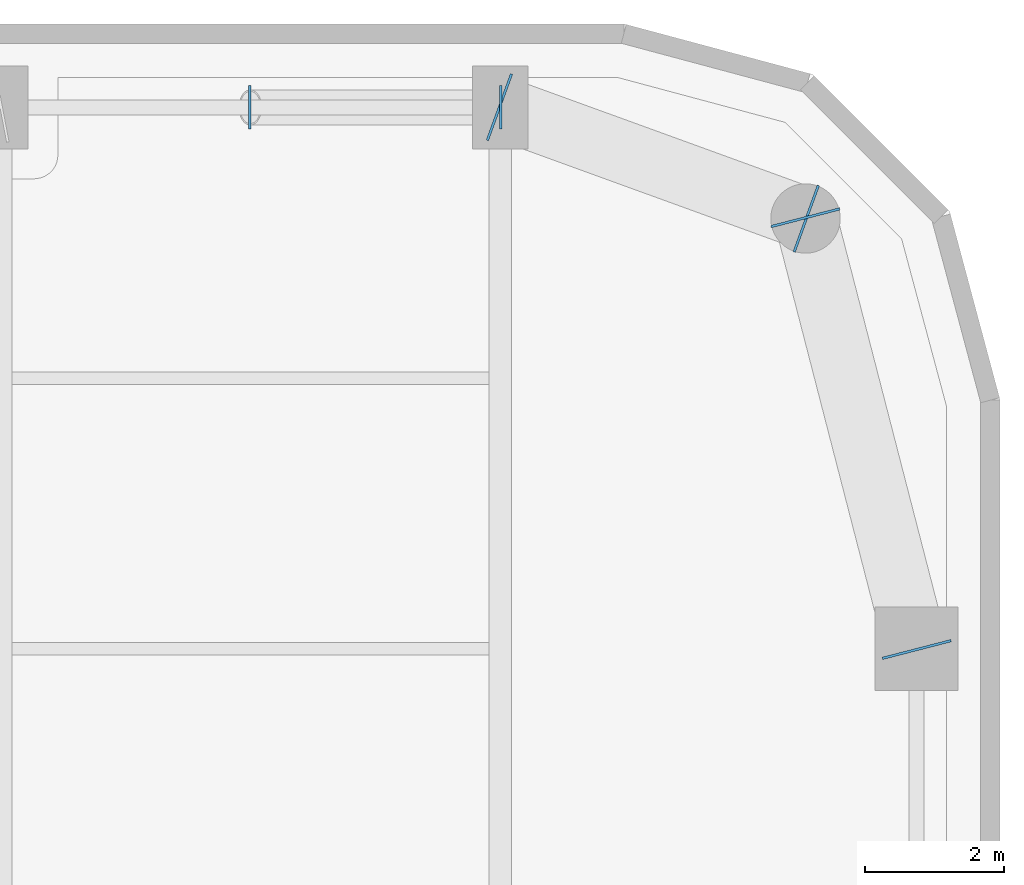
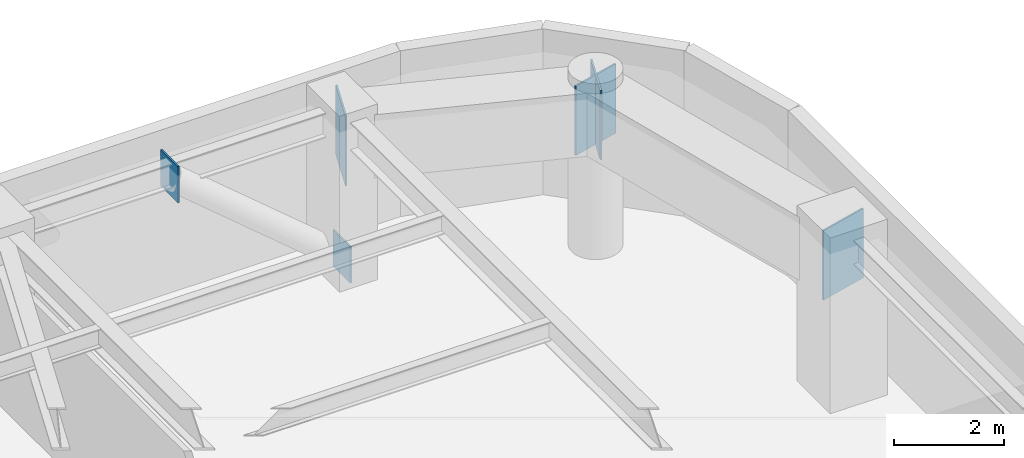
# One storey, part 23 of 30: 6 plates.
"""IFC4 building model written with IfcOpenShell, lengths in metres."""

from ifc_helpers import new_model, si_unit, direction, frame, origin, origin_2d, place, context, subcontext, project, spatial, rectangle, extrude, material, layer, layer_set, type_object, element, save


model = new_model("IFC4")

# Units and contexts
model_context = context("Model", 3, precision=1e-05, world=origin(), true_north=direction((0.0, 1.0)))
body_context = subcontext(model_context, "Body", "Model", "MODEL_VIEW")
ifc_project = project(units=[si_unit("LENGTHUNIT", "METRE"), si_unit("AREAUNIT", "SQUARE_METRE"), si_unit("VOLUMEUNIT", "CUBIC_METRE"), si_unit("PLANEANGLEUNIT", "RADIAN"), si_unit("MASSUNIT", "GRAM", prefix="KILO")], contexts=[model_context])

# Site, building, storey
site_placement = place(None, origin())
site = spatial("IfcSite", under=ifc_project, at=site_placement, CompositionType="ELEMENT")
building_placement = place(site_placement, origin())
building = spatial("IfcBuilding", under=site, at=building_placement, Name="Kiyonajd Concourse Tower", CompositionType="ELEMENT")
storey_placement = place(building_placement, frame((0.0, 0.0, 170.10009765625)))
storey = spatial("IfcBuildingStorey", under=building, at=storey_placement, Name="L43", CompositionType="ELEMENT", Elevation=170.10009765625)

# Plates
ifc_material = material(Name="Steel ASTM A572 Grade 50", Category="steel")
ifc_layer_1 = layer(ifc_material, 0.028076171875)
ifc_layer_set_1 = layer_set([ifc_layer_1], Name="Steel ASTM A572 Grade 50")
plate_type_1 = type_object("IfcPlateType", Name="PL-CAP-450", PredefinedType="USERDEFINED", material=ifc_layer_set_1)
for number, where, z_axis, x_axis, name in (
    (1, (63.6083984375, 61.199951171875, -0.109375), (0.0, 0.0, 1.0), (1.0, 0.0, 0.0), "L43 Hollow Brace End Cap Plate PBN"),
    (2, (59.99169921875, 61.199951171875, 2.93505859375), (0.0, 0.0, 1.0), (-1.0, 0.0, 0.0), "L43 Hollow Brace Top Cap Plate PBN"),
):
    element("IfcPlate", number, at=place(storey_placement, frame(where, z_axis=z_axis, x_axis=x_axis)), inside=storey, type_object=plate_type_1, Name=name, ObjectType="CAP PLATE", PredefinedType="USERDEFINED", context=body_context, shape_type="SweptSolid", body=[
        extrude(rectangle(XDim=0.035888671875, YDim=0.6279296875, at=origin_2d()), origin(), (0.0, 0.0, 1.0), 0.803955078125),
    ])
ifc_layer_2 = layer(ifc_material, 0.031982421875)
ifc_layer_set_2 = layer_set([ifc_layer_2], Name="Steel ASTM A572 Grade 50")
plate_type_2 = type_object("IfcPlateType", Name="PL-CAP-540", PredefinedType="USERDEFINED", material=ifc_layer_set_2)
for number, where, z_axis, x_axis, name in (
    (3, (69.602783203125, 53.389404296875, 2.2099609375), (0.0, 0.0, 1.0), (0.249873048837, -0.968278606324, 0.0), "L43 Welded Box Girder End Cap"),
    (4, (67.997314453125, 59.610595703125, 2.2099609375), (0.0, 0.0, 1.0), (-0.249873048837, 0.968278606324, 0.0), "L43 Welded Box Girder End Cap"),
    (5, (68.01025390625, 59.59619140625, 2.2099609375), (0.0, 0.0, 1.0), (0.939811951086, -0.341692107891, 0.0), "L43 Welded Box Girder End Cap"),
    (6, (63.589599609375, 61.203857421875, 2.2099609375), (0.0, 0.0, 1.0), (-0.939811951086, 0.341692107891, 0.0), "L43 Welded Box Girder End Cap"),
):
    element("IfcPlate", number, at=place(storey_placement, frame(where, z_axis=z_axis, x_axis=x_axis)), inside=storey, type_object=plate_type_2, Name=name, ObjectType="CAP PLATE", PredefinedType="USERDEFINED", context=body_context, shape_type="SweptSolid", body=[
        extrude(rectangle(XDim=0.035888671875, YDim=1.02001953125, at=origin_2d()), origin(), (0.0, 0.0, 1.0), 1.5400390625),
    ])

save(model, "model.ifc")
